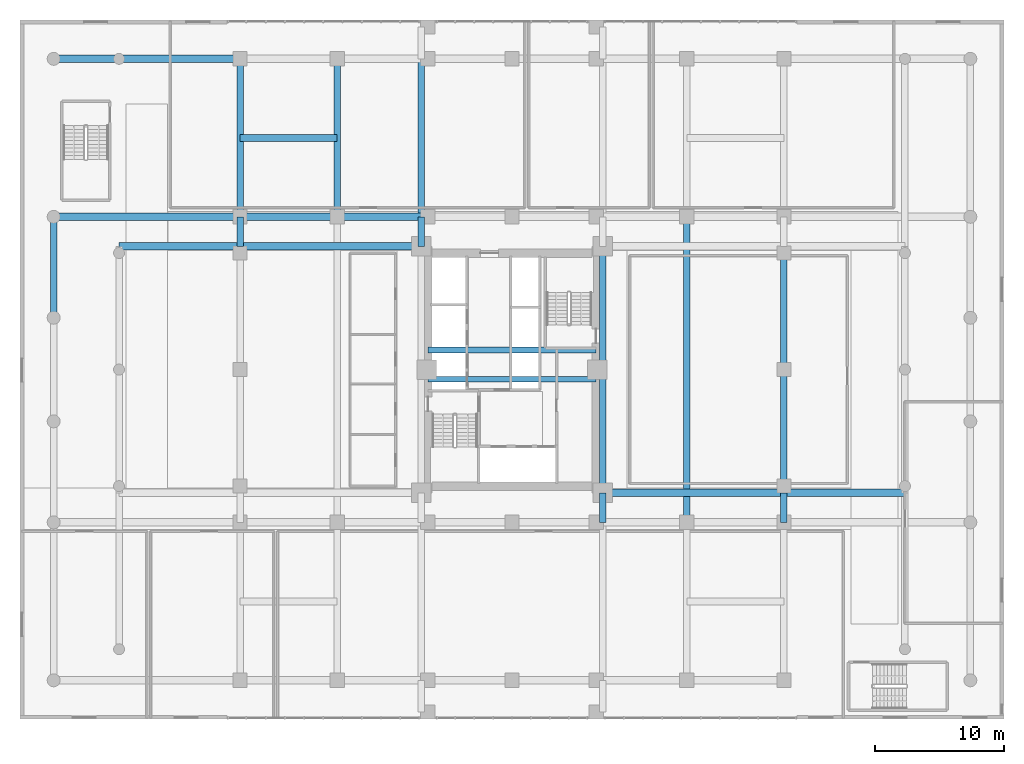
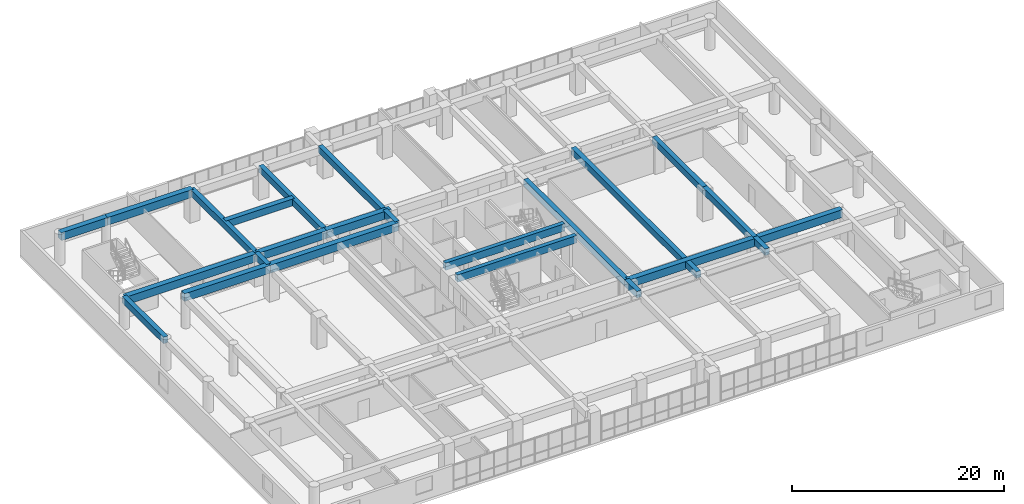
# One storey, part 9 of 30: 24 beams.
"""IFC4 building model written with IfcOpenShell, lengths in metres."""

from ifc_helpers import new_model, si_unit, direction, frame, origin, origin_2d, place, context, subcontext, project, spatial, rectangle, extrude, source, transform, mapped, material, material_profile, profile_set, type_object, element, save


model = new_model("IFC4")

# Units and contexts
model_context = context("Model", 3, precision=1e-05, world=origin(), true_north=direction((0.0, 1.0)))
body_context = subcontext(model_context, "Body", "Model", "MODEL_VIEW")
ifc_project = project(units=[si_unit("LENGTHUNIT", "METRE"), si_unit("AREAUNIT", "SQUARE_METRE"), si_unit("VOLUMEUNIT", "CUBIC_METRE"), si_unit("PLANEANGLEUNIT", "RADIAN"), si_unit("MASSUNIT", "GRAM", prefix="KILO")], contexts=[model_context])

# Site, building, storey
site_placement = place(None, origin())
site = spatial("IfcSite", under=ifc_project, at=site_placement, CompositionType="ELEMENT")
building_placement = place(site_placement, origin())
building = spatial("IfcBuilding", under=site, at=building_placement, Name="Saelheon Loggia Tower", CompositionType="ELEMENT")
storey_placement = place(building_placement, frame((0.0, 0.0, 11.39990234375)))
storey = spatial("IfcBuildingStorey", under=building, at=storey_placement, Name="L03", CompositionType="ELEMENT", Elevation=11.39990234375)

# Beams
ifc_material_1 = material(Name="Concrete C50/60", Category="concrete")
ifc_material_profile_1 = material_profile(ifc_material_1, rectangle(XDim=0.449951171875, YDim=0.85009765625, at=origin_2d()), Name="RC-450x850")
ifc_profile_set_1 = profile_set([ifc_material_profile_1], Name="Concrete C50/60")
beam_type_1 = type_object("IfcBeamType", Name="Beam_CoreLintel_RC450x850", PredefinedType="LINTEL", material=ifc_profile_set_1)
shared_shape_1 = source(origin(), body_context, "Body", "SweptSolid", [
    extrude(rectangle(XDim=0.449951171875, YDim=0.85009765625, at=origin_2d()), origin(), (0.0, 0.0, 1.0), 13.0),
])
for number, where, z_axis, x_axis, name in (
    (1, (31.5, 26.25, 3.175048828125), (1.0, 0.0, 0.0), (0.0, 1.0, 0.0), "L03 Core Coupling Lintel 1"),
    (2, (31.5, 28.5, 3.175048828125), (1.0, 0.0, 0.0), (0.0, 1.0, 0.0), "L03 Core Coupling Lintel 2"),
):
    element("IfcBeam", number, at=place(storey_placement, frame(where, z_axis=z_axis, x_axis=x_axis)), inside=storey, type_object=beam_type_1, Name=name, PredefinedType="LINTEL", context=body_context, shape_type="MappedRepresentation", body=[
        mapped(shared_shape_1, transform((0.0, 0.0, 0.0), scale=1.0)),
    ])
ifc_material_profile_2 = material_profile(ifc_material_1, rectangle(XDim=0.60009765625, YDim=0.89990234375, at=origin_2d()), Name="RC-600x900")
ifc_profile_set_2 = profile_set([ifc_material_profile_2], Name="Concrete C50/60")
beam_type_2 = type_object("IfcBeamType", Name="Beam_MainGirder_RC600x900", PredefinedType="BEAM", material=ifc_profile_set_2)
shared_shape_2 = source(origin(), body_context, "Body", "SweptSolid", [
    extrude(rectangle(XDim=0.60009765625, YDim=0.89990234375, at=origin_2d()), origin(), (0.0, 0.0, 1.0), 14.39990234375),
])
beam_1_placement = place(storey_placement, frame((2.60009765625, 38.800048828125, 3.150146484375), z_axis=(1.0, 0.0, 0.0), x_axis=(0.0, 1.0, 0.0)))
element("IfcBeam", 3, at=beam_1_placement, inside=storey, type_object=beam_type_2, Name="BM-L03-EW-38-1", PredefinedType="BEAM", context=body_context, shape_type="MappedRepresentation", body=[
    mapped(shared_shape_2, transform((0.0, 0.0, 0.0), scale=1.0)),
])
shared_shape_3 = source(origin(), body_context, "Body", "SweptSolid", [
    extrude(rectangle(XDim=0.60009765625, YDim=0.89990234375, at=origin_2d()), origin(), (0.0, 0.0, 1.0), 7.5),
])
beam_2_placement = place(storey_placement, frame((17.0, 38.800048828125, 3.150146484375), z_axis=(1.0, 0.0, 0.0), x_axis=(0.0, 1.0, 0.0)))
element("IfcBeam", 4, at=beam_2_placement, inside=storey, type_object=beam_type_2, Name="BM-L03-EW-38-2", PredefinedType="BEAM", context=body_context, shape_type="MappedRepresentation", body=[
    mapped(shared_shape_3, transform((0.0, 0.0, 0.0), scale=1.0)),
])
shared_shape_4 = source(origin(), body_context, "Body", "SweptSolid", [
    extrude(rectangle(XDim=0.60009765625, YDim=0.89990234375, at=origin_2d()), origin(), (0.0, 0.0, 1.0), 7.0),
])
beam_3_placement = place(storey_placement, frame((24.5, 38.800048828125, 3.150146484375), z_axis=(1.0, 0.0, 0.0), x_axis=(0.0, 1.0, 0.0)))
element("IfcBeam", 5, at=beam_3_placement, inside=storey, type_object=beam_type_2, Name="BM-L03-EW-38-3", PredefinedType="BEAM", context=body_context, shape_type="MappedRepresentation", body=[
    mapped(shared_shape_4, transform((0.0, 0.0, 0.0), scale=1.0)),
])
shared_shape_5 = source(origin(), body_context, "Body", "SweptSolid", [
    extrude(rectangle(XDim=0.60009765625, YDim=0.89990234375, at=origin_2d()), origin(), (0.0, 0.0, 1.0), 5.0498046875),
])
beam_4_placement = place(storey_placement, frame((2.60009765625, 51.0, 3.150146484375), z_axis=(1.0, 0.0, 0.0), x_axis=(0.0, 1.0, 0.0)))
element("IfcBeam", 6, at=beam_4_placement, inside=storey, type_object=beam_type_2, Name="BM-L03-EW-51-1", PredefinedType="BEAM", context=body_context, shape_type="MappedRepresentation", body=[
    mapped(shared_shape_5, transform((0.0, 0.0, 0.0), scale=1.0)),
])
shared_shape_6 = source(origin(), body_context, "Body", "SweptSolid", [
    extrude(rectangle(XDim=0.60009765625, YDim=0.89990234375, at=origin_2d()), origin(), (0.0, 0.0, 1.0), 9.35009765625),
])
for number, where, z_axis, x_axis, name in (
    (7, (7.64990234375, 51.0, 3.150146484375), (1.0, 0.0, 0.0), (0.0, 1.0, 0.0), "BM-L03-EW-51-2"),
    (8, (59.0, 17.47998046875, 3.150146484375), (1.0, 0.0, 0.0), (0.0, 1.0, 0.0), "BM-L03-CT-17-E1"),
    (9, (7.64990234375, 36.52001953125, 3.150146484375), (1.0, 0.0, 0.0), (0.0, 1.0, 0.0), "BM-L03-CT-36-W1"),
):
    element("IfcBeam", number, at=place(storey_placement, frame(where, z_axis=z_axis, x_axis=x_axis)), inside=storey, type_object=beam_type_2, Name=name, PredefinedType="BEAM", context=body_context, shape_type="MappedRepresentation", body=[
        mapped(shared_shape_6, transform((0.0, 0.0, 0.0), scale=1.0)),
    ])
shared_shape_7 = source(origin(), body_context, "Body", "SweptSolid", [
    extrude(rectangle(XDim=0.60009765625, YDim=0.89990234375, at=origin_2d()), origin(), (0.0, 0.0, 1.0), 13.97998046875),
])
for number, where, z_axis, x_axis, name in (
    (10, (45.02001953125, 17.47998046875, 3.150146484375), (1.0, 0.0, 0.0), (0.0, 1.0, 0.0), "BM-L03-CT-17-E2"),
    (11, (17.0, 36.52001953125, 3.150146484375), (1.0, 0.0, 0.0), (0.0, 1.0, 0.0), "BM-L03-CT-36-W2"),
):
    element("IfcBeam", number, at=place(storey_placement, frame(where, z_axis=z_axis, x_axis=x_axis)), inside=storey, type_object=beam_type_2, Name=name, PredefinedType="BEAM", context=body_context, shape_type="MappedRepresentation", body=[
        mapped(shared_shape_7, transform((0.0, 0.0, 0.0), scale=1.0)),
    ])
ifc_material_2 = material(Name="Concrete C45/55", Category="concrete")
ifc_material_profile_3 = material_profile(ifc_material_2, rectangle(XDim=0.5, YDim=0.75, at=origin_2d()), Name="RC-500x750")
ifc_profile_set_3 = profile_set([ifc_material_profile_3], Name="Concrete C45/55")
beam_type_3 = type_object("IfcBeamType", Name="Beam_FloorGirder_RC500x750", PredefinedType="BEAM", material=ifc_profile_set_3)
shared_shape_8 = source(origin(), body_context, "Body", "SweptSolid", [
    extrude(rectangle(XDim=0.5, YDim=0.75, at=origin_2d()), origin(), (0.0, 0.0, 1.0), 12.199951171875),
])
for number, where, z_axis, x_axis, name in (
    (12, (17.0, 38.800048828125, 3.22509765625), (0.0, 1.0, 0.0), (-1.0, 0.0, 0.0), "BM-L03-NS-17-6"),
    (13, (24.5, 38.800048828125, 3.22509765625), (0.0, 1.0, 0.0), (-1.0, 0.0, 0.0), "BM-L03-NS-24-3"),
    (14, (30.97998046875, 38.800048828125, 3.22509765625), (0.0, 1.0, 0.0), (-1.0, 0.0, 0.0), "BM-L03-NS-30-6"),
):
    element("IfcBeam", number, at=place(storey_placement, frame(where, z_axis=z_axis, x_axis=x_axis)), inside=storey, type_object=beam_type_3, Name=name, PredefinedType="BEAM", context=body_context, shape_type="MappedRepresentation", body=[
        mapped(shared_shape_8, transform((0.0, 0.0, 0.0), scale=1.0)),
    ])
ifc_material_profile_4 = material_profile(ifc_material_2, rectangle(XDim=0.5, YDim=0.75, at=origin_2d()), Name="RC-500x750")
ifc_profile_set_4 = profile_set([ifc_material_profile_4], Name="Concrete C45/55")
beam_type_4 = type_object("IfcBeamType", Name="Beam_PerimGirder_RC500x750", PredefinedType="BEAM", material=ifc_profile_set_4)
shared_shape_9 = source(origin(), body_context, "Body", "SweptSolid", [
    extrude(rectangle(XDim=0.5, YDim=0.75, at=origin_2d()), origin(), (0.0, 0.0, 1.0), 7.800048828125),
])
beam_5_placement = place(storey_placement, frame((2.60009765625, 31.0, 3.22509765625), z_axis=(0.0, 1.0, 0.0), x_axis=(-1.0, 0.0, 0.0)))
element("IfcBeam", 15, at=beam_5_placement, inside=storey, type_object=beam_type_4, Name="BM-L03-NS-2-4", PredefinedType="BEAM", context=body_context, shape_type="MappedRepresentation", body=[
    mapped(shared_shape_9, transform((0.0, 0.0, 0.0), scale=1.0)),
])
shared_shape_10 = source(origin(), body_context, "Body", "SweptSolid", [
    extrude(rectangle(XDim=0.5, YDim=0.75, at=origin_2d()), origin(), (0.0, 0.0, 1.0), 9.52001953125),
])
for number, where, z_axis, x_axis, name in (
    (16, (59.0, 17.47998046875, 3.22509765625), (0.0, 1.0, 0.0), (-1.0, 0.0, 0.0), "BM-L03-NS-59-3"),
    (17, (59.0, 27.0, 3.22509765625), (0.0, 1.0, 0.0), (-1.0, 0.0, 0.0), "BM-L03-NS-59-4"),
):
    element("IfcBeam", number, at=place(storey_placement, frame(where, z_axis=z_axis, x_axis=x_axis)), inside=storey, type_object=beam_type_3, Name=name, PredefinedType="BEAM", context=body_context, shape_type="MappedRepresentation", body=[
        mapped(shared_shape_10, transform((0.0, 0.0, 0.0), scale=1.0)),
    ])
shared_shape_11 = source(origin(), body_context, "Body", "SweptSolid", [
    extrude(rectangle(XDim=0.5, YDim=0.75, at=origin_2d()), origin(), (0.0, 0.0, 1.0), 2.280029296875),
])
for number, where, z_axis, x_axis, name in (
    (18, (17.0, 36.52001953125, 3.22509765625), (0.0, 1.0, 0.0), (-1.0, 0.0, 0.0), "BM-L03-NS-17-5"),
    (19, (30.97998046875, 36.52001953125, 3.22509765625), (0.0, 1.0, 0.0), (-1.0, 0.0, 0.0), "BM-L03-NS-30-5"),
    (20, (45.02001953125, 15.199951171875, 3.22509765625), (0.0, 1.0, 0.0), (-1.0, 0.0, 0.0), "BM-L03-NS-45-3"),
    (21, (59.0, 15.199951171875, 3.22509765625), (0.0, 1.0, 0.0), (-1.0, 0.0, 0.0), "BM-L03-NS-59-2"),
):
    element("IfcBeam", number, at=place(storey_placement, frame(where, z_axis=z_axis, x_axis=x_axis)), inside=storey, type_object=beam_type_3, Name=name, PredefinedType="BEAM", context=body_context, shape_type="MappedRepresentation", body=[
        mapped(shared_shape_11, transform((0.0, 0.0, 0.0), scale=1.0)),
    ])
shared_shape_12 = source(origin(), body_context, "Body", "SweptSolid", [
    extrude(rectangle(XDim=0.5, YDim=0.75, at=origin_2d()), origin(), (0.0, 0.0, 1.0), 23.60009765625),
])
beam_6_placement = place(storey_placement, frame((51.5, 15.199951171875, 3.22509765625), z_axis=(0.0, 1.0, 0.0), x_axis=(-1.0, 0.0, 0.0)))
element("IfcBeam", 22, at=beam_6_placement, inside=storey, type_object=beam_type_3, Name="BM-L03-NS-51-2", PredefinedType="BEAM", context=body_context, shape_type="MappedRepresentation", body=[
    mapped(shared_shape_12, transform((0.0, 0.0, 0.0), scale=1.0)),
])
shared_shape_13 = source(origin(), body_context, "Body", "SweptSolid", [
    extrude(rectangle(XDim=0.5, YDim=0.75, at=origin_2d()), origin(), (0.0, 0.0, 1.0), 19.0400390625),
])
beam_7_placement = place(storey_placement, frame((45.02001953125, 17.47998046875, 3.22509765625), z_axis=(0.0, 1.0, 0.0), x_axis=(-1.0, 0.0, 0.0)))
element("IfcBeam", 23, at=beam_7_placement, inside=storey, type_object=beam_type_3, Name="BM-L03-NS-45-4", PredefinedType="BEAM", context=body_context, shape_type="MappedRepresentation", body=[
    mapped(shared_shape_13, transform((0.0, 0.0, 0.0), scale=1.0)),
])
ifc_material_profile_5 = material_profile(ifc_material_2, rectangle(XDim=0.550048828125, YDim=0.800048828125, at=origin_2d()), Name="RC-550x800")
ifc_profile_set_5 = profile_set([ifc_material_profile_5], Name="Concrete C45/55")
beam_type_5 = type_object("IfcBeamType", Name="Beam_ClinicGirder_RC550x800", PredefinedType="BEAM", material=ifc_profile_set_5)
shared_shape_14 = source(origin(), body_context, "Body", "SweptSolid", [
    extrude(rectangle(XDim=0.550048828125, YDim=0.800048828125, at=origin_2d()), origin(), (0.0, 0.0, 1.0), 7.5),
])
beam_8_placement = place(storey_placement, frame((17.0, 44.89990234375, 3.2001953125), z_axis=(1.0, 0.0, 0.0), x_axis=(0.0, 1.0, 0.0)))
element("IfcBeam", 24, at=beam_8_placement, inside=storey, type_object=beam_type_5, Name="JST-L03-CL-NW", PredefinedType="BEAM", context=body_context, shape_type="MappedRepresentation", body=[
    mapped(shared_shape_14, transform((0.0, 0.0, 0.0), scale=1.0)),
])

save(model, "model.ifc")
